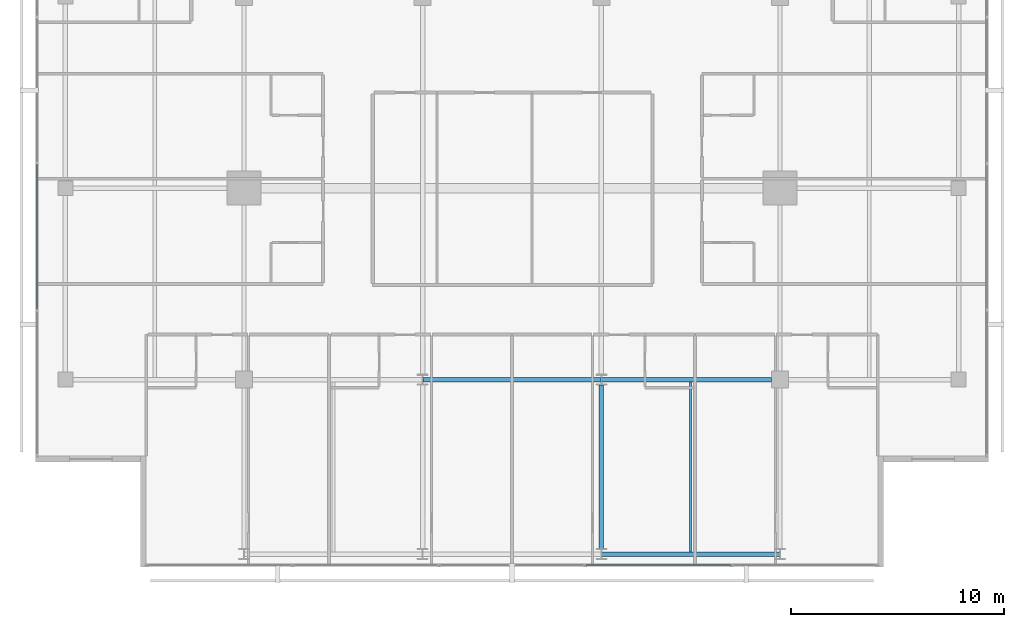
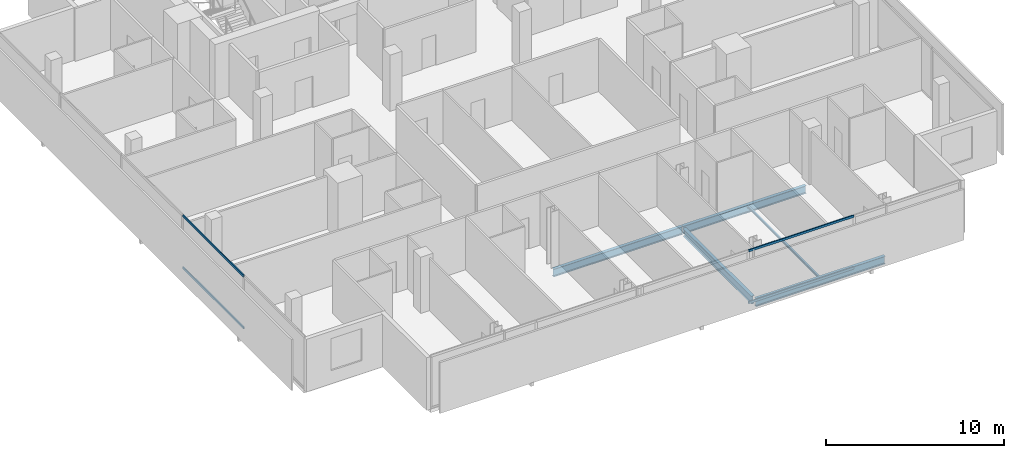
# One storey, part 7 of 26: 5 beams, 4 members, 2 elements without a shape of their own.
"""IFC4 building model written with IfcOpenShell, lengths in metres."""

from ifc_helpers import new_model, si_unit, direction, frame, origin, origin_2d, place, context, subcontext, project, spatial, hollow_rectangle, i_section, extrude, material, layer, layer_set, material_profile, profile_set, type_object, element, aggregate, save


model = new_model("IFC4")

# Units and contexts
model_context = context("Model", 3, precision=1e-05, world=origin(), true_north=direction((0.0, 1.0)))
body_context = subcontext(model_context, "Body", "Model", "MODEL_VIEW")
ifc_project = project(units=[si_unit("LENGTHUNIT", "METRE"), si_unit("AREAUNIT", "SQUARE_METRE"), si_unit("VOLUMEUNIT", "CUBIC_METRE"), si_unit("PLANEANGLEUNIT", "RADIAN"), si_unit("MASSUNIT", "GRAM", prefix="KILO")], contexts=[model_context])

# Site, building, storey
site_placement = place(None, origin())
site = spatial("IfcSite", under=ifc_project, at=site_placement, CompositionType="ELEMENT")
building_placement = place(site_placement, origin())
building = spatial("IfcBuilding", under=site, at=building_placement, Name="Maruvema Waterfront Hotel and Observation Tower", CompositionType="ELEMENT")
storey_placement = place(building_placement, frame((0.0, 0.0, 258.64990234375)))
storey = spatial("IfcBuildingStorey", under=building, at=storey_placement, Name="L63", CompositionType="ELEMENT", Elevation=258.64990234375)

# Curtain wall, members
ifc_material_1 = material(Name="Anodised bronze aluminium and solar-control low-E IGU", Category="aluminium")
ifc_layer = layer(ifc_material_1, 0.159912109375, Name="Zone 3 Champagne Inner Thermal Curtain Wall System CW-04")
ifc_layer_set = layer_set([ifc_layer], Name="Anodised bronze aluminium and solar-control low-E IGU")
curtain_wall_type = type_object("IfcCurtainWallType", Name="Zone 3 Champagne Inner Thermal Curtain Wall System CW-04", PredefinedType="USERDEFINED", material=ifc_layer_set)
curtain_wall_1_placement = place(storey_placement, origin())
curtain_wall_1 = element("IfcCurtainWall", 1, at=curtain_wall_1_placement, inside=storey, type_object=curtain_wall_type, Name="L63 Curtain Wall CW-L63-S", ObjectType="UNITISED CURTAIN WALL", PredefinedType="USERDEFINED")
ifc_material_2 = material(Name="Anodised architectural bronze aluminium", Category="aluminium")
ifc_material_profile_1 = material_profile(ifc_material_2, hollow_rectangle(XDim=0.070068359375, YDim=0.14990234375, WallThickness=0.00390625, at=origin_2d()), Name="ALU-T70x150")
ifc_profile_set_1 = profile_set([ifc_material_profile_1], Name="Anodised architectural bronze aluminium")
member_type = type_object("IfcMemberType", Name="Curtain Wall Horizontal Transom ALU-T70x150", PredefinedType="USERDEFINED", material=ifc_profile_set_1)
member_1_placement = place(storey_placement, frame((41.27001953125, 9.280029296875, 0.030029296875), z_axis=(1.0, 0.0, 0.0), x_axis=(0.0, 1.0, 0.0)))
member_1 = element("IfcMember", 2, at=member_1_placement, type_object=member_type, Name="CW-04 transom 4.1", ObjectType="TRANSOM", PredefinedType="USERDEFINED", context=body_context, shape_type="SweptSolid", body=[
    extrude(hollow_rectangle(XDim=0.070068359375, YDim=0.14990234375, WallThickness=0.00390625, at=origin_2d()), origin(), (0.0, 0.0, 1.0), 6.820068359375),
])
member_2_placement = place(storey_placement, frame((41.27001953125, 9.280029296875, 3.580078125), z_axis=(1.0, 0.0, 0.0), x_axis=(0.0, 1.0, 0.0)))
member_2 = element("IfcMember", 3, at=member_2_placement, type_object=member_type, Name="CW-04 transom 4.2", ObjectType="TRANSOM", PredefinedType="USERDEFINED", context=body_context, shape_type="SweptSolid", body=[
    extrude(hollow_rectangle(XDim=0.070068359375, YDim=0.14990234375, WallThickness=0.00390625, at=origin_2d()), origin(), (0.0, 0.0, 1.0), 6.820068359375),
])
aggregate(curtain_wall_1, [member_1, member_2])

curtain_wall_2_placement = place(storey_placement, origin())
curtain_wall_2 = element("IfcCurtainWall", 4, at=curtain_wall_2_placement, inside=storey, type_object=curtain_wall_type, Name="L63 Curtain Wall CW-L63-W", ObjectType="UNITISED CURTAIN WALL", PredefinedType="USERDEFINED")
member_3_placement = place(storey_placement, frame((15.47998046875, 28.1298828125, 0.030029296875), z_axis=(0.0, -1.0, 0.0), x_axis=(1.0, 0.0, 0.0)))
member_3 = element("IfcMember", 5, at=member_3_placement, type_object=member_type, Name="CW-04 transom 4.1", ObjectType="TRANSOM", PredefinedType="USERDEFINED", context=body_context, shape_type="SweptSolid", body=[
    extrude(hollow_rectangle(XDim=0.070068359375, YDim=0.14990234375, WallThickness=0.00390625, at=origin_2d()), origin(), (0.0, 0.0, 1.0), 6.81982421875),
])
member_4_placement = place(storey_placement, frame((15.47998046875, 28.1298828125, 3.580078125), z_axis=(0.0, -1.0, 0.0), x_axis=(1.0, 0.0, 0.0)))
member_4 = element("IfcMember", 6, at=member_4_placement, type_object=member_type, Name="CW-04 transom 4.2", ObjectType="TRANSOM", PredefinedType="USERDEFINED", context=body_context, shape_type="SweptSolid", body=[
    extrude(hollow_rectangle(XDim=0.070068359375, YDim=0.14990234375, WallThickness=0.00390625, at=origin_2d()), origin(), (0.0, 0.0, 1.0), 6.81982421875),
])
aggregate(curtain_wall_2, [member_3, member_4])

# Beams
ifc_material_3 = material(Name="Steel ASTM A572 Grade 50", Category="steel")
ifc_material_profile_2 = material_profile(ifc_material_3, i_section(OverallWidth=0.208984375, OverallDepth=0.532958984375, WebThickness=0.01025390625, FlangeThickness=0.015625, FilletRadius=0.014892578125, at=origin_2d()), Name="W530x92.0")
ifc_profile_set_2 = profile_set([ifc_material_profile_2], Name="Steel ASTM A572 Grade 50")
beam_type_1 = type_object("IfcBeamType", Name="Primary Floor Girder W530x92.0", PredefinedType="BEAM", material=ifc_profile_set_2)
for number, where, z_axis, x_axis, name in (
    (7, (42.010986328125, 9.800048828125, -0.50634765625), (1.0, 0.0, 0.0), (0.0, 1.0, 0.0), "L63 Floor Girder EW-03"),
    (8, (33.611083984375, 18.0, -0.50634765625), (1.0, 0.0, 0.0), (0.0, 1.0, 0.0), "L63 Floor Girder EW-06"),
):
    element("IfcBeam", number, at=place(storey_placement, frame(where, z_axis=z_axis, x_axis=x_axis)), inside=storey, type_object=beam_type_1, Name=name, PredefinedType="BEAM", context=body_context, shape_type="SweptSolid", body=[
        extrude(i_section(OverallWidth=0.208984375, OverallDepth=0.532958984375, WebThickness=0.01025390625, FlangeThickness=0.015625, FilletRadius=0.014892578125, at=origin_2d()), origin(), (0.0, 0.0, 1.0), 8.3779296875),
    ])
beam_1_placement = place(storey_placement, frame((42.010986328125, 18.0, -0.50634765625), z_axis=(1.0, 0.0, 0.0), x_axis=(0.0, 1.0, 0.0)))
element("IfcBeam", 9, at=beam_1_placement, inside=storey, type_object=beam_type_1, Name="L63 Floor Girder EW-07", PredefinedType="BEAM", context=body_context, shape_type="SweptSolid", body=[
    extrude(i_section(OverallWidth=0.208984375, OverallDepth=0.532958984375, WebThickness=0.01025390625, FlangeThickness=0.015625, FilletRadius=0.014892578125, at=origin_2d()), origin(), (0.0, 0.0, 1.0), 7.989013671875),
])
beam_2_placement = place(storey_placement, frame((42.0, 10.050048828125, -0.50634765625), z_axis=(0.0, 1.0, 0.0), x_axis=(-1.0, 0.0, 0.0)))
element("IfcBeam", 10, at=beam_2_placement, inside=storey, type_object=beam_type_1, Name="L63 Floor Girder NS-10", PredefinedType="BEAM", context=body_context, shape_type="SweptSolid", body=[
    extrude(i_section(OverallWidth=0.208984375, OverallDepth=0.532958984375, WebThickness=0.01025390625, FlangeThickness=0.015625, FilletRadius=0.014892578125, at=origin_2d()), origin(), (0.0, 0.0, 1.0), 7.699951171875),
])
ifc_material_4 = material(Name="Steel ASTM A572 Grade 50", Category="steel")
ifc_material_profile_3 = material_profile(ifc_material_4, i_section(OverallWidth=0.10009765625, OverallDepth=0.153076171875, WebThickness=0.005859375, FlangeThickness=0.007080078125, FilletRadius=0.008056640625, at=origin_2d()), Name="W150x18.0")
ifc_profile_set_3 = profile_set([ifc_material_profile_3], Name="Steel ASTM A572 Grade 50")
beam_type_2 = type_object("IfcBeamType", Name="Secondary Floor Joist W150x18.0", PredefinedType="JOIST", material=ifc_profile_set_3)
beam_3_placement = place(storey_placement, frame((46.199951171875, 9.904541015625, -0.31640625), z_axis=(0.0, 1.0, 0.0), x_axis=(-1.0, 0.0, 0.0)))
element("IfcBeam", 11, at=beam_3_placement, inside=storey, type_object=beam_type_2, Name="L63 Secondary Floor Joist JS-06", PredefinedType="JOIST", context=body_context, shape_type="SweptSolid", body=[
    extrude(i_section(OverallWidth=0.10009765625, OverallDepth=0.153076171875, WebThickness=0.005859375, FlangeThickness=0.007080078125, FilletRadius=0.008056640625, at=origin_2d()), origin(), (0.0, 0.0, 1.0), 7.990966796875),
])

save(model, "model.ifc")
